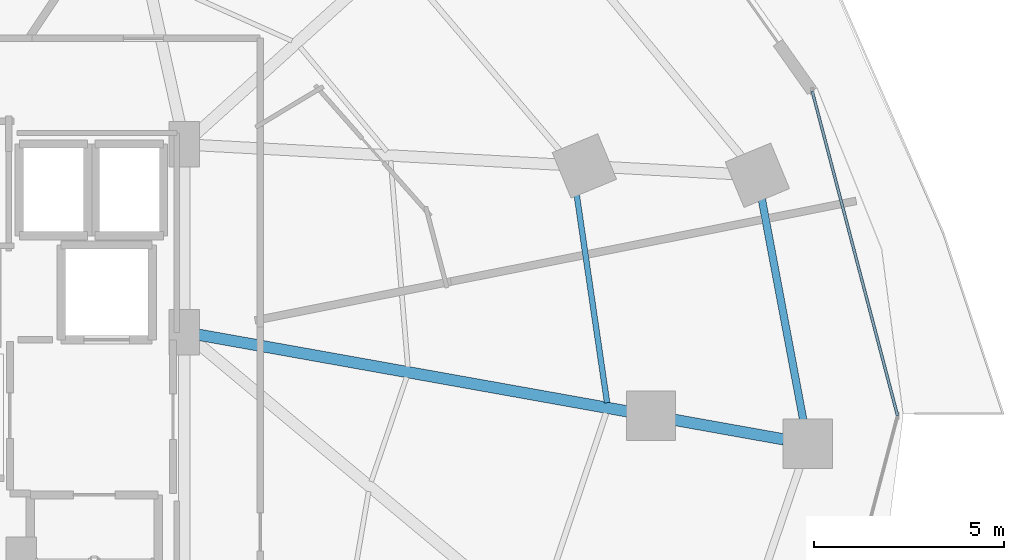
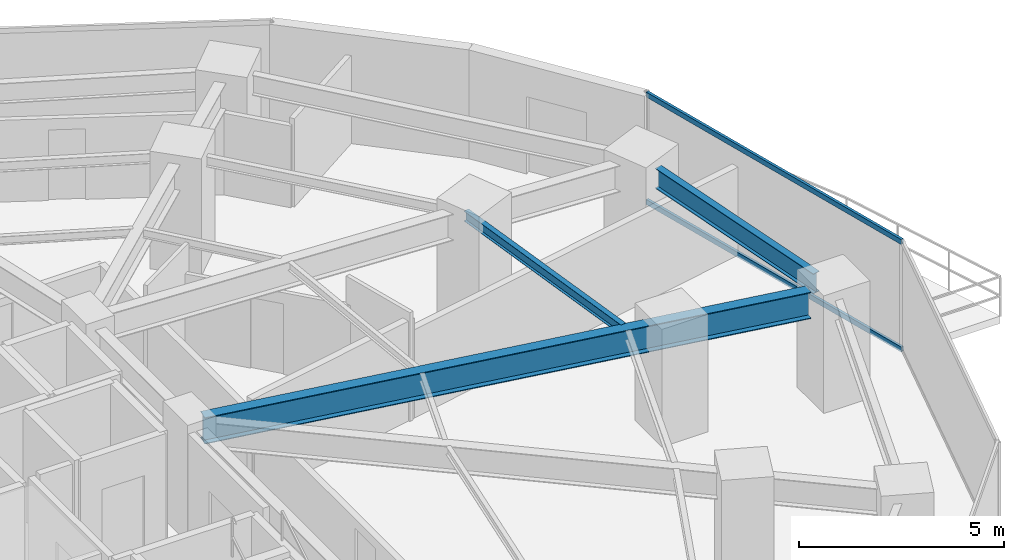
# One storey, part 16 of 33: 3 beams, 2 members, 1 element without a shape of its own.
"""IFC4 building model written with IfcOpenShell, lengths in metres."""

from ifc_helpers import new_model, si_unit, direction, frame, origin, origin_2d, place, context, subcontext, project, spatial, hollow_rectangle, i_section, extrude, material, material_profile, profile_set, type_object, element, aggregate, save


model = new_model("IFC4")

# Units and contexts
model_context = context("Model", 3, precision=1e-05, world=origin(), true_north=direction((0.0, 1.0)))
body_context = subcontext(model_context, "Body", "Model", "MODEL_VIEW")
ifc_project = project(units=[si_unit("LENGTHUNIT", "METRE"), si_unit("AREAUNIT", "SQUARE_METRE"), si_unit("VOLUMEUNIT", "CUBIC_METRE"), si_unit("PLANEANGLEUNIT", "RADIAN"), si_unit("MASSUNIT", "GRAM", prefix="KILO")], contexts=[model_context])

# Site, building, storey
site_placement = place(None, origin())
site = spatial("IfcSite", under=ifc_project, at=site_placement, CompositionType="ELEMENT")
building_placement = place(site_placement, origin())
building = spatial("IfcBuilding", under=site, at=building_placement, Name="Vorneva Point Tower", CompositionType="ELEMENT")
storey_placement = place(building_placement, frame((0.0, 0.0, 34.5)))
storey = spatial("IfcBuildingStorey", under=building, at=storey_placement, Name="L08", CompositionType="ELEMENT", Elevation=34.5)

# Beams
ifc_material_1 = material(Name="Steel S355", Category="steel")
ifc_material_profile_1 = material_profile(ifc_material_1, i_section(OverallWidth=0.300048828125, OverallDepth=0.7880859375, WebThickness=0.014404296875, FlangeThickness=0.02197265625, at=origin_2d()), Name="80Sh1")
ifc_profile_set_1 = profile_set([ifc_material_profile_1], Name="Steel S355")
beam_type_1 = type_object("IfcBeamType", Name="BM-GRD-80Sh1", PredefinedType="USERDEFINED", material=ifc_profile_set_1)
beam_1_placement = place(storey_placement, frame((64.55419921875, 25.373291015625, 2.845947265625), z_axis=(-0.984378664832, 0.176064318428, 0.0), x_axis=(-0.176064318428, -0.984378664832, 0.0)))
element("IfcBeam", 1, at=beam_1_placement, inside=storey, type_object=beam_type_1, Name="L08 Radial Primary Girder 01", ObjectType="GIRDER", PredefinedType="USERDEFINED", context=body_context, shape_type="SweptSolid", body=[
    extrude(i_section(OverallWidth=0.300048828125, OverallDepth=0.7880859375, WebThickness=0.014404296875, FlangeThickness=0.02197265625, at=origin_2d()), origin(), (0.0, 0.0, 1.0), 15.715087890625),
])
ifc_material_profile_2 = material_profile(ifc_material_1, i_section(OverallWidth=0.14892578125, OverallDepth=0.298095703125, WebThickness=0.005615234375, FlangeThickness=0.008056640625, at=origin_2d()), Name="30B1")
ifc_profile_set_2 = profile_set([ifc_material_profile_2], Name="Steel S355")
beam_type_2 = type_object("IfcBeamType", Name="BM-JST-30B1", PredefinedType="JOIST", material=ifc_profile_set_2)
beam_2_placement = place(storey_placement, frame((59.893310546875, 26.33984375, 3.091064453125), z_axis=(-0.144525009164, 0.989501147916, 0.0), x_axis=(-0.989501147916, -0.144525009164, 0.0)))
element("IfcBeam", 2, at=beam_2_placement, inside=storey, type_object=beam_type_2, Name="L08 Secondary Floor Beam 1.01", PredefinedType="JOIST", context=body_context, shape_type="SweptSolid", body=[
    extrude(i_section(OverallWidth=0.14892578125, OverallDepth=0.298095703125, WebThickness=0.005615234375, FlangeThickness=0.008056640625, at=origin_2d()), origin(), (0.0, 0.0, 1.0), 6.187744140625),
])
ifc_material_profile_3 = material_profile(ifc_material_1, i_section(OverallWidth=0.198974609375, OverallDepth=0.595947265625, WebThickness=0.010009765625, FlangeThickness=0.014892578125, at=origin_2d()), Name="60B1")
ifc_profile_set_3 = profile_set([ifc_material_profile_3], Name="Steel S355")
beam_type_3 = type_object("IfcBeamType", Name="BM-SPN-60B1", PredefinedType="SPANDREL", material=ifc_profile_set_3)
beam_3_placement = place(storey_placement, frame((65.06494140625, 25.885009765625, 2.94189453125), z_axis=(-0.184383004327, 0.982854469245, 0.0), x_axis=(-0.982854469245, -0.184383004327, 0.0)))
element("IfcBeam", 3, at=beam_3_placement, inside=storey, type_object=beam_type_3, Name="L08 Perimeter Spandrel Ring Beam 01", PredefinedType="SPANDREL", context=body_context, shape_type="SweptSolid", body=[
    extrude(i_section(OverallWidth=0.198974609375, OverallDepth=0.595947265625, WebThickness=0.010009765625, FlangeThickness=0.014892578125, at=origin_2d()), origin(), (0.0, 0.0, 1.0), 5.92919921875),
])

# Curtain wall, members
ifc_material_2 = material(Name="Pale anodised aluminium", Category="aluminium")
curtain_wall_type = type_object("IfcCurtainWallType", Name="CW-HTL-SYS", PredefinedType="NOTDEFINED", material=ifc_material_2)
curtain_wall_placement = place(storey_placement, origin())
curtain_wall = element("IfcCurtainWall", 4, at=curtain_wall_placement, inside=storey, type_object=curtain_wall_type, Name="L08 Unitised Curtain Wall CW-L08-R01", PredefinedType="NOTDEFINED")
ifc_material_profile_4 = material_profile(ifc_material_2, hollow_rectangle(XDim=0.074951171875, YDim=0.14990234375, WallThickness=0.00390625, at=origin_2d()), Name="AL-TRN 150x75x4")
ifc_profile_set_4 = profile_set([ifc_material_profile_4], Name="Pale anodised aluminium")
member_type = type_object("IfcMemberType", Name="CW-TRN-150", PredefinedType="USERDEFINED", material=ifc_profile_set_4)
member_1_placement = place(storey_placement, frame((67.550048828125, 26.0, 0.02001953125), z_axis=(-0.254358772746, 0.967109928978, 0.0), x_axis=(-0.967109928978, -0.254358772746, 0.0)))
member_1 = element("IfcMember", 5, at=member_1_placement, type_object=member_type, Name="CW-L08-R01 Transom 03.1", ObjectType="TRANSOM", PredefinedType="USERDEFINED", context=body_context, shape_type="SweptSolid", body=[
    extrude(hollow_rectangle(XDim=0.074951171875, YDim=0.14990234375, WallThickness=0.00390625, at=origin_2d()), origin(), (0.0, 0.0, 1.0), 8.84375),
])
member_2_placement = place(storey_placement, frame((67.550048828125, 26.0, 3.219970703125), z_axis=(-0.254358772746, 0.967109928978, 0.0), x_axis=(-0.967109928978, -0.254358772746, 0.0)))
member_2 = element("IfcMember", 6, at=member_2_placement, type_object=member_type, Name="CW-L08-R01 Transom 03.2", ObjectType="TRANSOM", PredefinedType="USERDEFINED", context=body_context, shape_type="SweptSolid", body=[
    extrude(hollow_rectangle(XDim=0.074951171875, YDim=0.14990234375, WallThickness=0.00390625, at=origin_2d()), origin(), (0.0, 0.0, 1.0), 8.84375),
])
aggregate(curtain_wall, [member_1, member_2])

save(model, "model.ifc")
